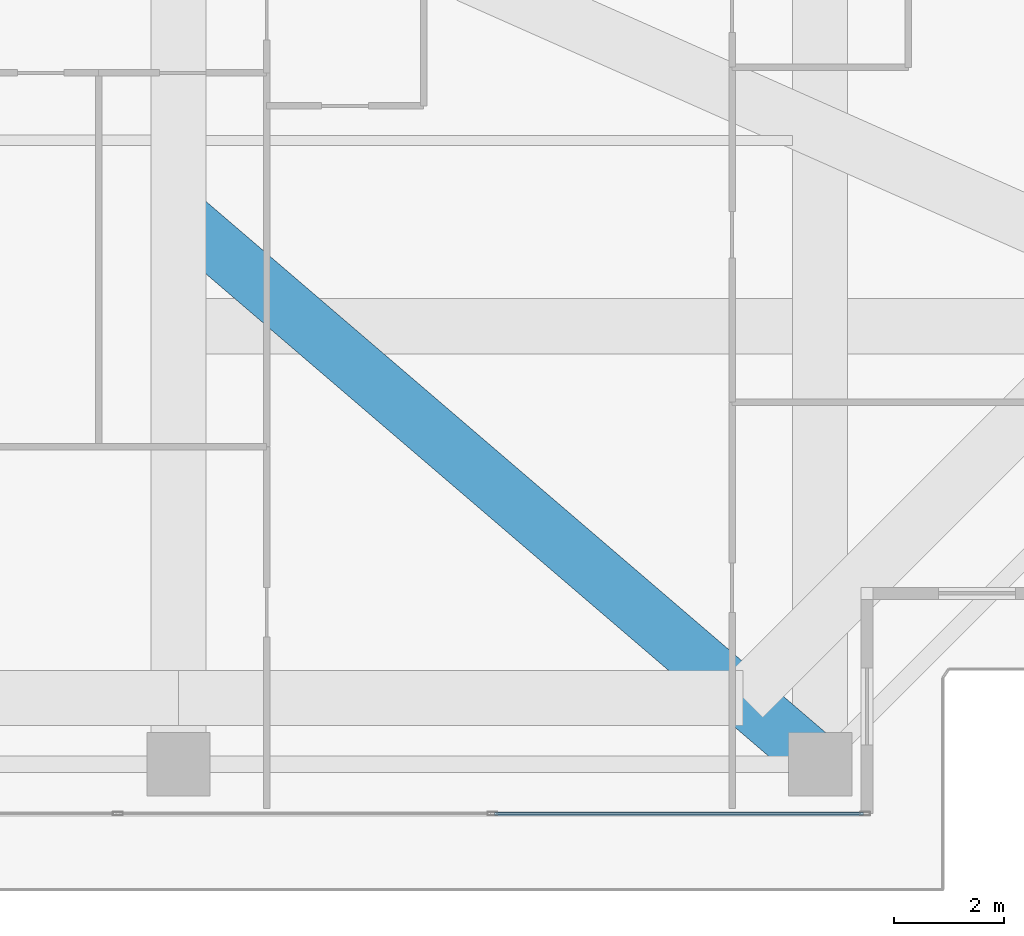
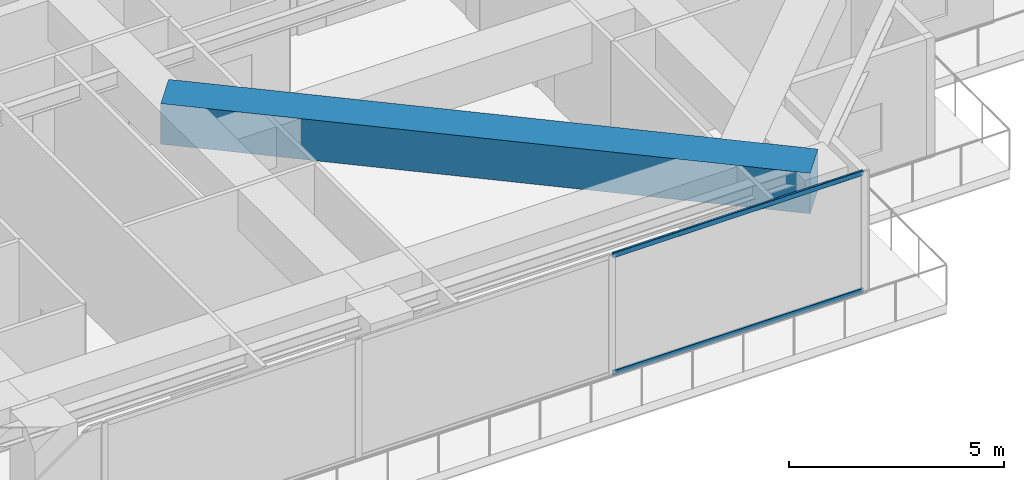
# One storey, part 14 of 39: 2 members, 1 beam, 1 element without a shape of its own.
"""IFC4 building model written with IfcOpenShell, lengths in metres."""

from ifc_helpers import new_model, si_unit, direction, frame, origin, origin_2d, place, context, subcontext, project, spatial, rectangle, hollow_rectangle, extrude, source, transform, mapped, material, layer, layer_set, material_profile, profile_set, type_object, element, aggregate, save


model = new_model("IFC4")

# Units and contexts
model_context = context("Model", 3, precision=1e-05, world=origin(), true_north=direction((0.0, 1.0)))
body_context = subcontext(model_context, "Body", "Model", "MODEL_VIEW")
ifc_project = project(units=[si_unit("LENGTHUNIT", "METRE"), si_unit("AREAUNIT", "SQUARE_METRE"), si_unit("VOLUMEUNIT", "CUBIC_METRE"), si_unit("PLANEANGLEUNIT", "RADIAN"), si_unit("MASSUNIT", "GRAM", prefix="KILO")], contexts=[model_context])

# Site, building, storey
site_placement = place(None, origin())
site = spatial("IfcSite", under=ifc_project, at=site_placement, CompositionType="ELEMENT")
building_placement = place(site_placement, origin())
building = spatial("IfcBuilding", under=site, at=building_placement, Name="Serunith Strait Residences", CompositionType="ELEMENT")
storey_placement = place(building_placement, frame((0.0, 0.0, 283.60009765625)))
storey = spatial("IfcBuildingStorey", under=building, at=storey_placement, Name="L71", CompositionType="ELEMENT", Elevation=283.60009765625)

# Beam
ifc_material_1 = material(Name="Concrete C80/95", Category="concrete")
ifc_material_profile_1 = material_profile(ifc_material_1, rectangle(XDim=1.0, YDim=1.14990234375, at=origin_2d()), Name="RC 1000x1150")
ifc_profile_set_1 = profile_set([ifc_material_profile_1], Name="Concrete C80/95")
beam_type = type_object("IfcBeamType", Name="BM-XFER-1000x1150", PredefinedType="BEAM", material=ifc_profile_set_1)
shared_shape_1 = source(origin(), body_context, "Body", "SweptSolid", [
    extrude(rectangle(XDim=1.0, YDim=1.14990234375, at=origin_2d()), origin(), (0.0, 0.0, 1.0), 15.343994140625),
])
beam_placement = place(storey_placement, frame((48.550048828125, 2.10009765625, 2.8349609375), z_axis=(-0.759264464293, 0.650782201095, 0.0), x_axis=(-0.650782201095, -0.759264464293, 0.0)))
element("IfcBeam", 1, at=beam_placement, inside=storey, type_object=beam_type, Name="L71 Diagonal Corner Transfer Girder TC-S4", PredefinedType="BEAM", context=body_context, shape_type="MappedRepresentation", body=[
    mapped(shared_shape_1, transform((0.0, 0.0, 0.0), scale=1.0)),
])

# Curtain wall, members
ifc_material_2 = material(Name="Pale-Champagne Anodised Aluminium", Category="aluminium")
ifc_layer = layer(ifc_material_2, 0.199951171875, Name="Pale-Champagne Anodised Aluminium")
ifc_layer_set = layer_set([ifc_layer], Name="Pale-Champagne Anodised Aluminium")
curtain_wall_type = type_object("IfcCurtainWallType", Name="CW-SYS4", PredefinedType="NOTDEFINED", material=ifc_layer_set)
curtain_wall_placement = place(storey_placement, origin())
curtain_wall = element("IfcCurtainWall", 2, at=curtain_wall_placement, inside=storey, type_object=curtain_wall_type, Name="L71 S Unitised Fritted Curtain Wall", PredefinedType="NOTDEFINED")
ifc_material_profile_2 = material_profile(ifc_material_2, hollow_rectangle(XDim=0.06005859375, YDim=0.139892578125, WallThickness=0.00341796875, InnerFilletRadius=0.00537109375, OuterFilletRadius=0.0087890625, at=origin_2d()), Name="ALU 140x60x3.5")
ifc_profile_set_2 = profile_set([ifc_material_profile_2], Name="Pale-Champagne Anodised Aluminium")
member_type = type_object("IfcMemberType", Name="CW-SYS4-TRAN", PredefinedType="USERDEFINED", material=ifc_profile_set_2)
shared_shape_2 = source(origin(), body_context, "Body", "SweptSolid", [
    extrude(hollow_rectangle(XDim=0.06005859375, YDim=0.139892578125, WallThickness=0.00341796875, InnerFilletRadius=0.00537109375, OuterFilletRadius=0.0087890625, at=origin_2d()), origin(), (0.0, 0.0, 1.0), 6.702392578125),
])
member_1_placement = place(storey_placement, frame((42.632568359375, 1.199951171875, 0.02978515625), z_axis=(1.0, 0.0, 0.0), x_axis=(0.0, 1.0, 0.0)))
member_1 = element("IfcMember", 3, at=member_1_placement, type_object=member_type, Name="CW-4 transom 5.1", ObjectType="TRANSOM", PredefinedType="USERDEFINED", context=body_context, shape_type="MappedRepresentation", body=[
    mapped(shared_shape_2, transform((0.0, 0.0, 0.0), scale=1.0)),
])
member_2_placement = place(storey_placement, frame((42.632568359375, 1.199951171875, 3.364990234375), z_axis=(1.0, 0.0, 0.0), x_axis=(0.0, 1.0, 0.0)))
member_2 = element("IfcMember", 4, at=member_2_placement, type_object=member_type, Name="CW-4 transom 5.2", ObjectType="TRANSOM", PredefinedType="USERDEFINED", context=body_context, shape_type="MappedRepresentation", body=[
    mapped(shared_shape_2, transform((0.0, 0.0, 0.0), scale=1.0)),
])
aggregate(curtain_wall, [member_1, member_2])

save(model, "model.ifc")
